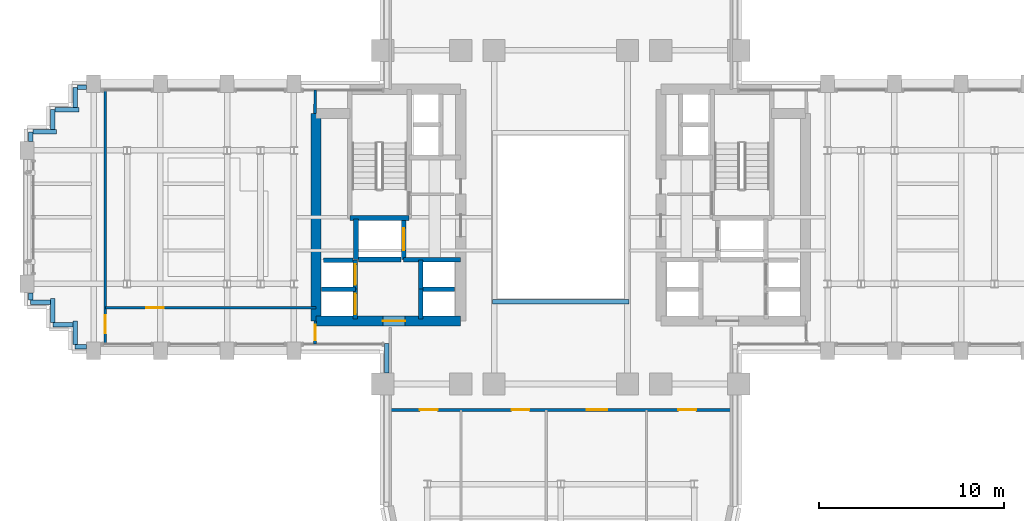
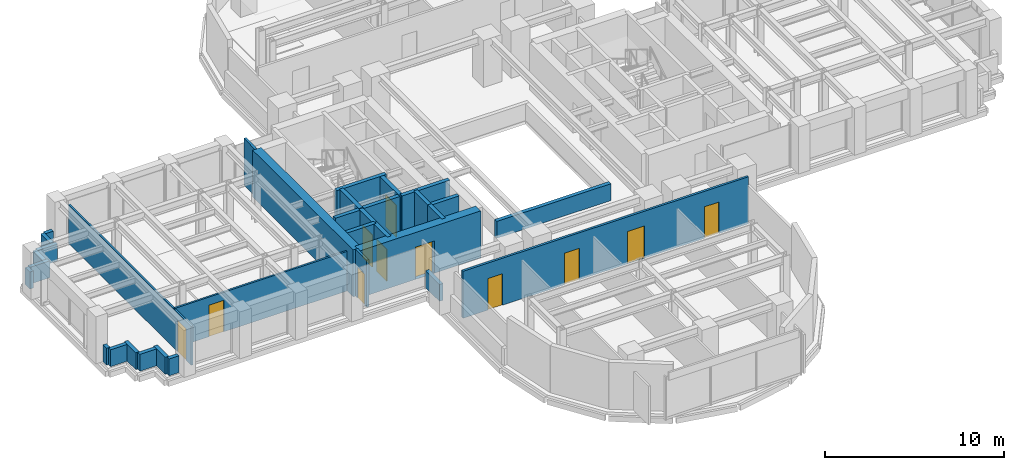
# One storey, part 10 of 16: 33 walls, 11 doors, 11 openings.
"""IFC4 building model written with IfcOpenShell, lengths in metres."""

from ifc_helpers import new_model, si_unit, direction, frame, frame_2d, origin, place, context, subcontext, project, spatial, rectangle, extrude, source, transform, mapped, material, layer, layer_set, type_object, element, fill, save


model = new_model("IFC4")

# Units and contexts
model_context = context("Model", 3, precision=1e-05, world=origin(), true_north=direction((0.0, 1.0)))
body_context = subcontext(model_context, "Body", "Model", "MODEL_VIEW")
ifc_project = project(units=[si_unit("LENGTHUNIT", "METRE"), si_unit("AREAUNIT", "SQUARE_METRE"), si_unit("VOLUMEUNIT", "CUBIC_METRE"), si_unit("PLANEANGLEUNIT", "RADIAN"), si_unit("MASSUNIT", "GRAM", prefix="KILO")], contexts=[model_context])

# Site, building, storey
site_placement = place(None, origin())
site = spatial("IfcSite", under=ifc_project, at=site_placement, CompositionType="ELEMENT")
building_placement = place(site_placement, origin())
building = spatial("IfcBuilding", under=site, at=building_placement, Name="Keilestroom Media Tower", CompositionType="ELEMENT")
storey_placement = place(building_placement, frame((0.0, 0.0, 71.39990234375)))
storey = spatial("IfcBuildingStorey", under=building, at=storey_placement, Name="L18", CompositionType="ELEMENT", Elevation=71.39990234375)

# Wall, opening, door
ifc_material_1 = material(Name="Gypsum Plasterboard & Steel Stud", Category="steel")
ifc_layer_1 = layer(ifc_material_1, 0.1201171875)
ifc_layer_set_1 = layer_set([ifc_layer_1], Name="Gypsum Plasterboard & Steel Stud")
wall_type_1 = type_object("IfcWallType", Name="Interior-Partition-Wall-120", PredefinedType="PARTITIONING", material=ifc_layer_set_1)
wall_1_placement = place(storey_placement, frame((-24.570068359375, -4.8798828125, 0.0), z_axis=(0.0, 0.0, 1.0), x_axis=(1.0, 0.0, 0.0)))
wall_1 = element("IfcWall", 1, at=wall_1_placement, inside=storey, type_object=wall_type_1, Name="L18 Interior Wall WP-L18-WA-CN", PredefinedType="PARTITIONING", context=body_context, shape_type="SweptSolid", body=[
    extrude(rectangle(XDim=11.3701171875, YDim=0.1201171875, at=frame_2d((5.68505859375, 0.0))), origin(), (0.0, 0.0, 1.0), 2.7001953125),
])
opening_1_placement = place(wall_1_placement, frame((2.199951171875, 0.0, 0.0)))
opening_1 = element("IfcOpeningElement", 2, at=opening_1_placement, cuts=wall_1, Name="Opening DI-03", PredefinedType="OPENING", context=body_context, shape_type="SweptSolid", body=[
    extrude(rectangle(XDim=0.949951171875, YDim=2.14990234375, at=frame_2d((0.47509765625, 1.074951171875))), frame((0.0, 0.070068359375, 0.0), z_axis=(0.0, -1.0, 0.0), x_axis=(1.0, 0.0, 0.0)), (0.0, 0.0, 1.0), 0.14013671875),
])
ifc_material_2 = material(Name="Lacquered European Oak Leaf", Category="wood")
door_type_1 = type_object("IfcDoorType", Name="Interior-Room-And-Suite-Door-DI-03", OperationType="NOTDEFINED", PredefinedType="DOOR", material=ifc_material_2)
shared_shape_1 = source(origin(), body_context, "Body", "SweptSolid", [
    extrude(rectangle(XDim=0.949951171875, YDim=2.14990234375, at=frame_2d((0.47509765625, 1.074951171875))), frame((0.0, 0.02490234375, 0.0), z_axis=(0.0, -1.0, 0.0), x_axis=(1.0, 0.0, 0.0)), (0.0, 0.0, 1.0), 0.050048828125),
])
door_1_placement = place(opening_1_placement, origin())
door_1 = element("IfcDoor", 3, at=door_1_placement, inside=storey, type_object=door_type_1, Name="L18 Interior Door DI-L18-DWA-RN", OperationType="SINGLE_SWING_RIGHT", OverallHeight=2.14990234375, OverallWidth=0.949951171875, PredefinedType="DOOR", context=body_context, shape_type="MappedRepresentation", body=[
    mapped(shared_shape_1, transform((0.0, 0.0, 0.0), x_axis=(1.0, 0.0, 0.0), y_axis=(0.0, 1.0, 0.0), z_axis=(0.0, 0.0, 1.0), scale=1.0)),
])
fill(opening_1, door_1)

wall_2_placement = place(storey_placement, frame((-24.570068359375, -6.85009765625, 0.0), z_axis=(0.0, 0.0, 1.0), x_axis=(0.0, 1.0, 0.0)))
wall_2 = element("IfcWall", 4, at=wall_2_placement, inside=storey, type_object=wall_type_1, Name="L18 Interior Wall WP-L18-WA-CE", PredefinedType="PARTITIONING", context=body_context, shape_type="SweptSolid", body=[
    extrude(rectangle(XDim=13.7001953125, YDim=0.1201171875, at=frame_2d((6.85009765625, 0.0))), origin(), (0.0, 0.0, 1.0), 2.650146484375),
])
opening_2_placement = place(wall_2_placement, frame((0.60009765625, 0.0, 0.0)))
opening_2 = element("IfcOpeningElement", 5, at=opening_2_placement, cuts=wall_2, Name="Opening DI-03", PredefinedType="OPENING", context=body_context, shape_type="SweptSolid", body=[
    extrude(rectangle(XDim=0.949951171875, YDim=2.14990234375, at=frame_2d((0.47509765625, 1.074951171875))), frame((0.0, 0.070068359375, 0.0), z_axis=(0.0, -1.0, 0.0), x_axis=(1.0, 0.0, 0.0)), (0.0, 0.0, 1.0), 0.14013671875),
])
door_2_placement = place(opening_2_placement, origin())
door_2 = element("IfcDoor", 6, at=door_2_placement, inside=storey, type_object=door_type_1, Name="L18 Interior Door DI-L18-DWA-END", OperationType="SINGLE_SWING_LEFT", OverallHeight=2.14990234375, OverallWidth=0.949951171875, PredefinedType="DOOR", context=body_context, shape_type="MappedRepresentation", body=[
    mapped(shared_shape_1, transform((0.0, 0.0, 0.0), x_axis=(1.0, 0.0, 0.0), y_axis=(0.0, 1.0, 0.0), z_axis=(0.0, 0.0, 1.0), scale=1.0)),
])
fill(opening_2, door_2)

# Wall, openings, doors
ifc_layer_2 = layer(ifc_material_1, 0.14990234375)
ifc_layer_set_2 = layer_set([ifc_layer_2], Name="Gypsum Plasterboard & Steel Stud")
wall_type_2 = type_object("IfcWallType", Name="Interior-Partition-Wall-150", PredefinedType="PARTITIONING", material=ifc_layer_set_2)
wall_3_placement = place(storey_placement, frame((-9.199951171875, -10.39990234375, 0.0), z_axis=(0.0, 0.0, 1.0), x_axis=(1.0, 0.0, 0.0)))
wall_3 = element("IfcWall", 7, at=wall_3_placement, inside=storey, type_object=wall_type_2, Name="L18 Interior Wall WP-L18-SL-BASE", PredefinedType="PARTITIONING", context=body_context, shape_type="SweptSolid", body=[
    extrude(rectangle(XDim=18.39990234375, YDim=0.14990234375, at=frame_2d((9.199951171875, 0.0))), origin(), (0.0, 0.0, 1.0), 3.2001953125),
])
opening_3_placement = place(wall_3_placement, frame((1.60009765625, 0.0, 0.0)))
opening_3 = element("IfcOpeningElement", 8, at=opening_3_placement, cuts=wall_3, Name="Opening DI-03", PredefinedType="OPENING", context=body_context, shape_type="SweptSolid", body=[
    extrude(rectangle(XDim=0.949951171875, YDim=2.14990234375, at=frame_2d((0.47509765625, 1.074951171875))), frame((0.0, 0.0849609375, 0.0), z_axis=(0.0, -1.0, 0.0), x_axis=(1.0, 0.0, 0.0)), (0.0, 0.0, 1.0), 0.169921875),
])
opening_4_placement = place(wall_3_placement, frame((6.550048828125, 0.0, 0.0)))
opening_4 = element("IfcOpeningElement", 9, at=opening_4_placement, cuts=wall_3, Name="Opening DI-03", PredefinedType="OPENING", context=body_context, shape_type="SweptSolid", body=[
    extrude(rectangle(XDim=0.949951171875, YDim=2.14990234375, at=frame_2d((0.47509765625, 1.074951171875))), frame((0.0, 0.0849609375, 0.0), z_axis=(0.0, -1.0, 0.0), x_axis=(1.0, 0.0, 0.0)), (0.0, 0.0, 1.0), 0.169921875),
])
opening_5_placement = place(wall_3_placement, frame((10.60009765625, 0.0, 0.0)))
opening_5 = element("IfcOpeningElement", 10, at=opening_5_placement, cuts=wall_3, Name="Opening DI-04", PredefinedType="OPENING", context=body_context, shape_type="SweptSolid", body=[
    extrude(rectangle(XDim=1.10009765625, YDim=2.199951171875, at=frame_2d((0.550048828125, 1.10009765625))), frame((0.0, 0.0849609375, 0.0), z_axis=(0.0, -1.0, 0.0), x_axis=(1.0, 0.0, 0.0)), (0.0, 0.0, 1.0), 0.169921875),
])
opening_6_placement = place(wall_3_placement, frame((15.550048828125, 0.0, 0.0)))
opening_6 = element("IfcOpeningElement", 11, at=opening_6_placement, cuts=wall_3, Name="Opening DI-03", PredefinedType="OPENING", context=body_context, shape_type="SweptSolid", body=[
    extrude(rectangle(XDim=0.949951171875, YDim=2.14990234375, at=frame_2d((0.47509765625, 1.074951171875))), frame((0.0, 0.0849609375, 0.0), z_axis=(0.0, -1.0, 0.0), x_axis=(1.0, 0.0, 0.0)), (0.0, 0.0, 1.0), 0.169921875),
])
door_3_placement = place(opening_3_placement, origin())
door_3 = element("IfcDoor", 12, at=door_3_placement, inside=storey, type_object=door_type_1, Name="L18 Interior Door DI-L18-DSL-Q1", OperationType="SINGLE_SWING_RIGHT", OverallHeight=2.14990234375, OverallWidth=0.949951171875, PredefinedType="DOOR", context=body_context, shape_type="MappedRepresentation", body=[
    mapped(shared_shape_1, transform((0.0, 0.0, 0.0), x_axis=(1.0, 0.0, 0.0), y_axis=(0.0, 1.0, 0.0), z_axis=(0.0, 0.0, 1.0), scale=1.0)),
])
fill(opening_3, door_3)
door_4_placement = place(opening_4_placement, origin())
door_4 = element("IfcDoor", 13, at=door_4_placement, inside=storey, type_object=door_type_1, Name="L18 Interior Door DI-L18-DSL-Q2", OperationType="SINGLE_SWING_LEFT", OverallHeight=2.14990234375, OverallWidth=0.949951171875, PredefinedType="DOOR", context=body_context, shape_type="MappedRepresentation", body=[
    mapped(shared_shape_1, transform((0.0, 0.0, 0.0), x_axis=(1.0, 0.0, 0.0), y_axis=(0.0, 1.0, 0.0), z_axis=(0.0, 0.0, 1.0), scale=1.0)),
])
fill(opening_4, door_4)
door_5_placement = place(opening_6_placement, origin())
door_5 = element("IfcDoor", 14, at=door_5_placement, inside=storey, type_object=door_type_1, Name="L18 Interior Door DI-L18-DSL-Q4", OperationType="SINGLE_SWING_LEFT", OverallHeight=2.14990234375, OverallWidth=0.949951171875, PredefinedType="DOOR", context=body_context, shape_type="MappedRepresentation", body=[
    mapped(shared_shape_1, transform((0.0, 0.0, 0.0), x_axis=(1.0, 0.0, 0.0), y_axis=(0.0, 1.0, 0.0), z_axis=(0.0, 0.0, 1.0), scale=1.0)),
])
fill(opening_6, door_5)
ifc_material_3 = material(Name="Acoustic Glazed Aluminium Leaf", Category="aluminium")
door_type_2 = type_object("IfcDoorType", Name="Interior-Room-And-Suite-Door-DI-04", OperationType="NOTDEFINED", PredefinedType="DOOR", material=ifc_material_3)
shared_shape_2 = source(origin(), body_context, "Body", "SweptSolid", [
    extrude(rectangle(XDim=1.10009765625, YDim=2.199951171875, at=frame_2d((0.550048828125, 1.10009765625))), frame((0.0, 0.02490234375, 0.0), z_axis=(0.0, -1.0, 0.0), x_axis=(1.0, 0.0, 0.0)), (0.0, 0.0, 1.0), 0.050048828125),
])
door_6_placement = place(opening_5_placement, origin())
door_6 = element("IfcDoor", 15, at=door_6_placement, inside=storey, type_object=door_type_2, Name="L18 Interior Door DI-L18-DSL-Q3", OperationType="SINGLE_SWING_RIGHT", OverallHeight=2.199951171875, OverallWidth=1.10009765625, PredefinedType="DOOR", context=body_context, shape_type="MappedRepresentation", body=[
    mapped(shared_shape_2, transform((0.0, 0.0, 0.0), x_axis=(1.0, 0.0, 0.0), y_axis=(0.0, 1.0, 0.0), z_axis=(0.0, 0.0, 1.0), scale=1.0)),
])
fill(opening_5, door_6)

# Wall
wall_4_placement = place(storey_placement, frame((-13.260009765625, 5.60009765625, 0.0), z_axis=(0.0, 0.0, 1.0), x_axis=(0.016013571389, 0.999871774545, 0.0)))
element("IfcWall", 16, at=wall_4_placement, inside=storey, type_object=wall_type_2, Name="L18 Interior Wall WP-L18-WA-ENTN", PredefinedType="PARTITIONING", context=body_context, shape_type="SweptSolid", body=[
    extrude(rectangle(XDim=1.250244140625, YDim=0.14990234375, at=frame_2d((0.625, 0.0))), origin(), (0.0, 0.0, 1.0), 3.2001953125),
])

# Wall, opening, door
wall_5_placement = place(storey_placement, frame((-13.260009765625, -6.85009765625, 0.0), z_axis=(0.0, 0.0, 1.0), x_axis=(0.016013571389, 0.999871774545, 0.0)))
wall_5 = element("IfcWall", 17, at=wall_5_placement, inside=storey, type_object=wall_type_2, Name="L18 Interior Wall WP-L18-WA-ENTS", PredefinedType="PARTITIONING", context=body_context, shape_type="SweptSolid", body=[
    extrude(rectangle(XDim=1.250244140625, YDim=0.14990234375, at=frame_2d((0.625, 0.0))), origin(), (0.0, 0.0, 1.0), 3.2001953125),
])
opening_7_placement = place(wall_5_placement, frame((0.199951171875, 0.0, 0.0)))
opening_7 = element("IfcOpeningElement", 18, at=opening_7_placement, cuts=wall_5, Name="Opening DI-05", PredefinedType="OPENING", context=body_context, shape_type="SweptSolid", body=[
    extrude(rectangle(XDim=0.85009765625, YDim=2.10009765625, at=frame_2d((0.425048828125, 1.050048828125))), frame((0.0, 0.0849609375, 0.0), z_axis=(0.0, -1.0, 0.0), x_axis=(1.0, 0.0, 0.0)), (0.0, 0.0, 1.0), 0.169921875),
])
ifc_material_4 = material(Name="Moisture-Resistant Oak Leaf", Category="wood")
door_type_3 = type_object("IfcDoorType", Name="Interior-En-Suite-And-Cupboard-Door-DI-05", OperationType="NOTDEFINED", PredefinedType="DOOR", material=ifc_material_4)
shared_shape_3 = source(origin(), body_context, "Body", "SweptSolid", [
    extrude(rectangle(XDim=0.85009765625, YDim=2.10009765625, at=frame_2d((0.425048828125, 1.050048828125))), frame((0.0, 0.02490234375, 0.0), z_axis=(0.0, -1.0, 0.0), x_axis=(1.0, 0.0, 0.0)), (0.0, 0.0, 1.0), 0.050048828125),
])
door_7_placement = place(opening_7_placement, origin())
door_7 = element("IfcDoor", 19, at=door_7_placement, inside=storey, type_object=door_type_3, Name="L18 Interior Door DI-L18-DWA-ENTS", OperationType="SINGLE_SWING_RIGHT", OverallHeight=2.10009765625, OverallWidth=0.85009765625, PredefinedType="DOOR", context=body_context, shape_type="MappedRepresentation", body=[
    mapped(shared_shape_3, transform((0.0, 0.0, 0.0), x_axis=(1.0, 0.0, 0.0), y_axis=(0.0, 1.0, 0.0), z_axis=(0.0, 0.0, 1.0), scale=1.0)),
])
fill(opening_7, door_7)

# Wall
ifc_material_5 = material(Name="Concrete C70/85", Category="concrete")
ifc_layer_3 = layer(ifc_material_5, 0.550048828125)
ifc_layer_set_3 = layer_set([ifc_layer_3], Name="Concrete C70/85")
wall_type_3 = type_object("IfcWallType", Name="Reinforced-Concrete-Core-Shear-Wall-550", PredefinedType="SHEAR", material=ifc_layer_set_3)
wall_6_placement = place(storey_placement, frame((-13.199951171875, -5.60009765625, 0.0), z_axis=(0.0, 0.0, 1.0), x_axis=(0.0, 1.0, 0.0)))
element("IfcWall", 20, at=wall_6_placement, inside=storey, type_object=wall_type_3, Name="L18 Core Shear Wall WL-L18-CORE-W-OUT", PredefinedType="SHEAR", context=body_context, shape_type="SweptSolid", body=[
    extrude(rectangle(XDim=11.2001953125, YDim=0.550048828125, at=frame_2d((5.60009765625, 0.0))), origin(), (0.0, 0.0, 1.0), 3.2001953125),
])

# Wall, opening, door
wall_7_placement = place(storey_placement, frame((-13.199951171875, -5.60009765625, 0.0), z_axis=(0.0, 0.0, 1.0), x_axis=(1.0, 0.0, 0.0)))
wall_7 = element("IfcWall", 21, at=wall_7_placement, inside=storey, type_object=wall_type_3, Name="L18 Core Shear Wall WL-L18-CORE-W-S", PredefinedType="SHEAR", context=body_context, shape_type="SweptSolid", body=[
    extrude(rectangle(XDim=7.800048828125, YDim=0.550048828125, at=frame_2d((3.89990234375, 0.0))), origin(), (0.0, 0.0, 1.0), 3.2001953125),
])
opening_8_placement = place(wall_7_placement, frame((3.60009765625, 0.0, 0.0)))
opening_8 = element("IfcOpeningElement", 22, at=opening_8_placement, cuts=wall_7, Name="Opening DI-02", PredefinedType="OPENING", context=body_context, shape_type="SweptSolid", body=[
    extrude(rectangle(XDim=1.199951171875, YDim=2.199951171875, at=frame_2d((0.60009765625, 1.10009765625))), frame((0.0, 0.28515625, 0.0), z_axis=(0.0, -1.0, 0.0), x_axis=(1.0, 0.0, 0.0)), (0.0, 0.0, 1.0), 0.570068359375),
])
ifc_material_6 = material(Name="Powder-Coated Steel Fire Leaf", Category="steel")
door_type_4 = type_object("IfcDoorType", Name="Interior-Compartment-Fire-Door-DI-02", OperationType="NOTDEFINED", PredefinedType="DOOR", material=ifc_material_6)
shared_shape_4 = source(origin(), body_context, "Body", "SweptSolid", [
    extrude(rectangle(XDim=1.199951171875, YDim=2.199951171875, at=frame_2d((0.60009765625, 1.10009765625))), frame((0.0, 0.02490234375, 0.0), z_axis=(0.0, -1.0, 0.0), x_axis=(1.0, 0.0, 0.0)), (0.0, 0.0, 1.0), 0.050048828125),
])
door_8_placement = place(opening_8_placement, origin())
door_8 = element("IfcDoor", 23, at=door_8_placement, inside=storey, type_object=door_type_4, Name="L18 W Passenger Lift Lobby Door", OperationType="SINGLE_SWING_LEFT", OverallHeight=2.199951171875, OverallWidth=1.199951171875, PredefinedType="DOOR", context=body_context, shape_type="MappedRepresentation", body=[
    mapped(shared_shape_4, transform((0.0, 0.0, 0.0), x_axis=(1.0, 0.0, 0.0), y_axis=(0.0, 1.0, 0.0), z_axis=(0.0, 0.0, 1.0), scale=1.0)),
])
fill(opening_8, door_8)

# Walls
ifc_material_7 = material(Name="Concrete C50/60", Category="concrete")
ifc_layer_4 = layer(ifc_material_7, 0.25)
ifc_layer_set_4 = layer_set([ifc_layer_4], Name="Concrete C50/60")
wall_type_4 = type_object("IfcWallType", Name="Reinforced-Concrete-Shaft-Wall-250", PredefinedType="SOLIDWALL", material=ifc_layer_set_4)
wall_8_placement = place(storey_placement, frame((-8.47998046875, -2.300048828125, 0.0), z_axis=(0.0, 0.0, 1.0), x_axis=(1.0, 0.0, 0.0)))
element("IfcWall", 24, at=wall_8_placement, inside=storey, type_object=wall_type_4, Name="L18 Core Shear Wall WL-L18-CORE-W-FFS", PredefinedType="SOLIDWALL", context=body_context, shape_type="SweptSolid", body=[
    extrude(rectangle(XDim=3.080078125, YDim=0.25, at=frame_2d((1.5400390625, 0.0))), origin(), (0.0, 0.0, 1.0), 3.2001953125),
])
wall_9_placement = place(storey_placement, frame((-11.381103515625, -0.041015625, 0.0), z_axis=(0.0, 0.0, 1.0), x_axis=(1.0, 0.0, 0.0)))
element("IfcWall", 25, at=wall_9_placement, inside=storey, type_object=wall_type_4, Name="L18 Core Shear Wall WL-L18-STW-W-S", PredefinedType="SOLIDWALL", context=body_context, shape_type="SweptSolid", body=[
    extrude(rectangle(XDim=3.2021484375, YDim=0.25, at=frame_2d((1.60107421875, 0.0))), origin(), (0.0, 0.0, 1.0), 3.2001953125),
])
wall_10_placement = place(storey_placement, frame((-11.050048828125, -2.280029296875, 0.0), z_axis=(0.0, 0.0, 1.0), x_axis=(0.0, 1.0, 0.0)))
element("IfcWall", 26, at=wall_10_placement, inside=storey, type_object=wall_type_4, Name="L18 Core Shear Wall WL-L18-LSH-FFL-1-W", PredefinedType="SOLIDWALL", context=body_context, shape_type="SweptSolid", body=[
    extrude(rectangle(XDim=2.179931640625, YDim=0.25, at=frame_2d((1.08984375, 0.0))), origin(), (0.0, 0.0, 1.0), 3.2001953125),
])

# Wall, opening, door
wall_11_placement = place(storey_placement, frame((-8.47998046875, -2.280029296875, 0.0), z_axis=(0.0, 0.0, 1.0), x_axis=(0.0, 1.0, 0.0)))
wall_11 = element("IfcWall", 27, at=wall_11_placement, inside=storey, type_object=wall_type_4, Name="L18 Core Shear Wall WL-L18-LSH-FFL-1-E", PredefinedType="SOLIDWALL", context=body_context, shape_type="SweptSolid", body=[
    extrude(rectangle(XDim=2.179931640625, YDim=0.25, at=frame_2d((1.08984375, 0.0))), origin(), (0.0, 0.0, 1.0), 3.2001953125),
])
opening_9_placement = place(wall_11_placement, frame((0.489990234375, 0.0, 0.0)))
opening_9 = element("IfcOpeningElement", 28, at=opening_9_placement, cuts=wall_11, Name="Opening LD-02", PredefinedType="OPENING", context=body_context, shape_type="SweptSolid", body=[
    extrude(rectangle(XDim=1.199951171875, YDim=2.199951171875, at=frame_2d((0.60009765625, 1.10009765625))), frame((0.0, 0.135009765625, 0.0), z_axis=(0.0, -1.0, 0.0), x_axis=(1.0, 0.0, 0.0)), (0.0, 0.0, 1.0), 0.27001953125),
])
ifc_material_8 = material(Name="Brushed Stainless Steel Sliding Leaf", Category="steel")
door_type_5 = type_object("IfcDoorType", Name="Lift-Landing-Sliding-Door-LD-02", OperationType="SLIDING_TO_RIGHT", PredefinedType="DOOR", material=ifc_material_8)
door_9_placement = place(opening_9_placement, origin())
door_9 = element("IfcDoor", 29, at=door_9_placement, inside=storey, type_object=door_type_5, Name="L18 Lift FFL-1 Landing Sliding Door", OperationType="SLIDING_TO_RIGHT", OverallHeight=2.199951171875, OverallWidth=1.199951171875, PredefinedType="DOOR", context=body_context, shape_type="MappedRepresentation", body=[
    mapped(shared_shape_4, transform((0.0, 0.0, 0.0), x_axis=(1.0, 0.0, 0.0), y_axis=(0.0, 1.0, 0.0), z_axis=(0.0, 0.0, 1.0), scale=1.0)),
])
fill(opening_9, door_9)

# Wall
wall_12_placement = place(storey_placement, frame((-10.9208984375, -2.280029296875, 0.0), z_axis=(0.0, 0.0, 1.0), x_axis=(1.0, 0.0, 0.0)))
element("IfcWall", 30, at=wall_12_placement, inside=storey, type_object=wall_type_4, Name="L18 Core Shear Wall WL-L18-LSH-FFL-1-S", PredefinedType="SOLIDWALL", context=body_context, shape_type="SweptSolid", body=[
    extrude(rectangle(XDim=2.31201171875, YDim=0.25, at=frame_2d((1.156005859375, 0.0))), origin(), (0.0, 0.0, 1.0), 3.2001953125),
])

# Wall, opening, door
wall_13_placement = place(storey_placement, frame((-11.080078125, -5.47998046875, 0.0), z_axis=(0.0, 0.0, 1.0), x_axis=(0.0, 1.0, 0.0)))
wall_13 = element("IfcWall", 31, at=wall_13_placement, inside=storey, type_object=wall_type_4, Name="L18 Core Shear Wall WL-L18-LSH-PL-L1-E", PredefinedType="SOLIDWALL", context=body_context, shape_type="SweptSolid", body=[
    extrude(rectangle(XDim=1.60009765625, YDim=0.25, at=frame_2d((0.800048828125, 0.0))), origin(), (0.0, 0.0, 1.0), 3.2001953125),
])
opening_10_placement = place(wall_13_placement, frame((0.25, 0.0, 0.0)))
opening_10 = element("IfcOpeningElement", 32, at=opening_10_placement, cuts=wall_13, Name="Opening LD-01", PredefinedType="OPENING", context=body_context, shape_type="SweptSolid", body=[
    extrude(rectangle(XDim=1.10009765625, YDim=2.199951171875, at=frame_2d((0.550048828125, 1.10009765625))), frame((0.0, 0.135009765625, 0.0), z_axis=(0.0, -1.0, 0.0), x_axis=(1.0, 0.0, 0.0)), (0.0, 0.0, 1.0), 0.27001953125),
])
door_type_6 = type_object("IfcDoorType", Name="Lift-Landing-Sliding-Door-LD-01", OperationType="SLIDING_TO_LEFT", PredefinedType="DOOR", material=ifc_material_8)
door_10_placement = place(opening_10_placement, origin())
door_10 = element("IfcDoor", 33, at=door_10_placement, inside=storey, type_object=door_type_6, Name="L18 Lift PL-L1 Landing Sliding Door", OperationType="SLIDING_TO_LEFT", OverallHeight=2.199951171875, OverallWidth=1.10009765625, PredefinedType="DOOR", context=body_context, shape_type="MappedRepresentation", body=[
    mapped(shared_shape_2, transform((0.0, 0.0, 0.0), x_axis=(1.0, 0.0, 0.0), y_axis=(0.0, 1.0, 0.0), z_axis=(0.0, 0.0, 1.0), scale=1.0)),
])
fill(opening_10, door_10)

# Wall
wall_14_placement = place(storey_placement, frame((-12.919921875, -3.8798828125, 0.0), z_axis=(0.0, 0.0, 1.0), x_axis=(1.0, 0.0, 0.0)))
element("IfcWall", 34, at=wall_14_placement, inside=storey, type_object=wall_type_4, Name="L18 Core Shear Wall WL-L18-LSH-PL-L1-N", PredefinedType="SOLIDWALL", context=body_context, shape_type="SweptSolid", body=[
    extrude(rectangle(XDim=1.83984375, YDim=0.25, at=frame_2d((0.919921875, 0.0))), origin(), (0.0, 0.0, 1.0), 3.2001953125),
])

# Wall, opening, door
wall_15_placement = place(storey_placement, frame((-11.080078125, -3.8798828125, 0.0), z_axis=(0.0, 0.0, 1.0), x_axis=(0.0, 1.0, 0.0)))
wall_15 = element("IfcWall", 35, at=wall_15_placement, inside=storey, type_object=wall_type_4, Name="L18 Core Shear Wall WL-L18-LSH-PL-L2-E", PredefinedType="SOLIDWALL", context=body_context, shape_type="SweptSolid", body=[
    extrude(rectangle(XDim=1.559814453125, YDim=0.25, at=frame_2d((0.77978515625, 0.0))), origin(), (0.0, 0.0, 1.0), 3.2001953125),
])
opening_11_placement = place(wall_15_placement, frame((0.22998046875, 0.0, 0.0)))
opening_11 = element("IfcOpeningElement", 36, at=opening_11_placement, cuts=wall_15, Name="Opening LD-01", PredefinedType="OPENING", context=body_context, shape_type="SweptSolid", body=[
    extrude(rectangle(XDim=1.10009765625, YDim=2.199951171875, at=frame_2d((0.550048828125, 1.10009765625))), frame((0.0, 0.135009765625, 0.0), z_axis=(0.0, -1.0, 0.0), x_axis=(1.0, 0.0, 0.0)), (0.0, 0.0, 1.0), 0.27001953125),
])
door_11_placement = place(opening_11_placement, origin())
door_11 = element("IfcDoor", 37, at=door_11_placement, inside=storey, type_object=door_type_6, Name="L18 Lift PL-L2 Landing Sliding Door", OperationType="SLIDING_TO_LEFT", OverallHeight=2.199951171875, OverallWidth=1.10009765625, PredefinedType="DOOR", context=body_context, shape_type="MappedRepresentation", body=[
    mapped(shared_shape_2, transform((0.0, 0.0, 0.0), x_axis=(1.0, 0.0, 0.0), y_axis=(0.0, 1.0, 0.0), z_axis=(0.0, 0.0, 1.0), scale=1.0)),
])
fill(opening_11, door_11)

# Walls
wall_16_placement = place(storey_placement, frame((-12.791015625, -2.320068359375, 0.0), z_axis=(0.0, 0.0, 1.0), x_axis=(1.0, 0.0, 0.0)))
element("IfcWall", 38, at=wall_16_placement, inside=storey, type_object=wall_type_4, Name="L18 Core Shear Wall WL-L18-LSH-PL-L2-N", PredefinedType="SOLIDWALL", context=body_context, shape_type="SweptSolid", body=[
    extrude(rectangle(XDim=1.58203125, YDim=0.25, at=frame_2d((0.791015625, 0.0))), origin(), (0.0, 0.0, 1.0), 3.2001953125),
])
wall_17_placement = place(storey_placement, frame((-7.56005859375, -5.47998046875, 0.0), z_axis=(0.0, 0.0, 1.0), x_axis=(0.0, 1.0, 0.0)))
element("IfcWall", 39, at=wall_17_placement, inside=storey, type_object=wall_type_4, Name="L18 Core Shear Wall WL-L18-LSH-PL-M1-W", PredefinedType="SOLIDWALL", context=body_context, shape_type="SweptSolid", body=[
    extrude(rectangle(XDim=1.60009765625, YDim=0.25, at=frame_2d((0.800048828125, 0.0))), origin(), (0.0, 0.0, 1.0), 3.2001953125),
])
wall_18_placement = place(storey_placement, frame((-7.56005859375, -3.8798828125, 0.0), z_axis=(0.0, 0.0, 1.0), x_axis=(1.0, 0.0, 0.0)))
element("IfcWall", 40, at=wall_18_placement, inside=storey, type_object=wall_type_4, Name="L18 Core Shear Wall WL-L18-LSH-PL-M1-N", PredefinedType="SOLIDWALL", context=body_context, shape_type="SweptSolid", body=[
    extrude(rectangle(XDim=1.840087890625, YDim=0.25, at=frame_2d((0.919921875, 0.0))), origin(), (0.0, 0.0, 1.0), 3.2001953125),
])
wall_19_placement = place(storey_placement, frame((-7.56005859375, -3.8798828125, 0.0), z_axis=(0.0, 0.0, 1.0), x_axis=(0.0, 1.0, 0.0)))
element("IfcWall", 41, at=wall_19_placement, inside=storey, type_object=wall_type_4, Name="L18 Core Shear Wall WL-L18-LSH-PL-M2-W", PredefinedType="SOLIDWALL", context=body_context, shape_type="SweptSolid", body=[
    extrude(rectangle(XDim=1.559814453125, YDim=0.25, at=frame_2d((0.77978515625, 0.0))), origin(), (0.0, 0.0, 1.0), 3.2001953125),
])
ifc_material_9 = material(Name="Precast concrete C40/50", Category="concrete")
ifc_layer_5 = layer(ifc_material_9, 0.239990234375)
ifc_layer_set_5 = layer_set([ifc_layer_5], Name="Precast concrete C40/50")
wall_type_5 = type_object("IfcWallType", Name="Roof-And-Terrace-Parapet-Wall-240", PredefinedType="PARAPET", material=ifc_layer_set_5)
wall_20_placement = place(storey_placement, frame((-9.39990234375, -8.39697265625, 0.0), z_axis=(0.0, 0.0, 1.0), x_axis=(0.0, 1.0, 0.0)))
element("IfcWall", 42, at=wall_20_placement, inside=storey, type_object=wall_type_5, Name="L18 Perimeter Edge Parapet Wall 11", PredefinedType="PARAPET", context=body_context, shape_type="SweptSolid", body=[
    extrude(rectangle(XDim=1.578125, YDim=0.239990234375, at=frame_2d((0.7890625, 0.0))), origin(), (0.0, 0.0, 1.0), 1.150146484375),
])
wall_21_placement = place(storey_placement, frame((-25.577880859375, -7.0, 0.0), z_axis=(0.0, 0.0, 1.0), x_axis=(-1.0, 0.0, 0.0)))
element("IfcWall", 43, at=wall_21_placement, inside=storey, type_object=wall_type_5, Name="L18 Perimeter Edge Parapet Wall 12", PredefinedType="PARAPET", context=body_context, shape_type="SweptSolid", body=[
    extrude(rectangle(XDim=0.6220703125, YDim=0.239990234375, at=frame_2d((0.31103515625, 0.0))), origin(), (0.0, 0.0, 1.0), 1.150146484375),
])
wall_22_placement = place(storey_placement, frame((-26.199951171875, -6.876953125, 0.0), z_axis=(0.0, 0.0, 1.0), x_axis=(0.0, 1.0, 0.0)))
element("IfcWall", 44, at=wall_22_placement, inside=storey, type_object=wall_type_5, Name="L18 Perimeter Edge Parapet Wall 13", PredefinedType="PARAPET", context=body_context, shape_type="SweptSolid", body=[
    extrude(rectangle(XDim=1.27685546875, YDim=0.239990234375, at=frame_2d((0.638427734375, 0.0))), origin(), (0.0, 0.0, 1.0), 1.150146484375),
])
wall_23_placement = place(storey_placement, frame((-26.322998046875, -5.800048828125, 0.0), z_axis=(0.0, 0.0, 1.0), x_axis=(-1.0, 0.0, 0.0)))
element("IfcWall", 45, at=wall_23_placement, inside=storey, type_object=wall_type_5, Name="L18 Perimeter Edge Parapet Wall 14", PredefinedType="PARAPET", context=body_context, shape_type="SweptSolid", body=[
    extrude(rectangle(XDim=1.076904296875, YDim=0.239990234375, at=frame_2d((0.53857421875, 0.0))), origin(), (0.0, 0.0, 1.0), 1.150146484375),
])
wall_24_placement = place(storey_placement, frame((-27.39990234375, -5.677001953125, 0.0), z_axis=(0.0, 0.0, 1.0), x_axis=(0.0, 1.0, 0.0)))
element("IfcWall", 46, at=wall_24_placement, inside=storey, type_object=wall_type_5, Name="L18 Perimeter Edge Parapet Wall 15", PredefinedType="PARAPET", context=body_context, shape_type="SweptSolid", body=[
    extrude(rectangle(XDim=1.277099609375, YDim=0.239990234375, at=frame_2d((0.638671875, 0.0))), origin(), (0.0, 0.0, 1.0), 1.150146484375),
])
wall_25_placement = place(storey_placement, frame((-27.52294921875, -4.60009765625, 0.0), z_axis=(0.0, 0.0, 1.0), x_axis=(-1.0, 0.0, 0.0)))
element("IfcWall", 47, at=wall_25_placement, inside=storey, type_object=wall_type_5, Name="L18 Perimeter Edge Parapet Wall 16", PredefinedType="PARAPET", context=body_context, shape_type="SweptSolid", body=[
    extrude(rectangle(XDim=1.0771484375, YDim=0.239990234375, at=frame_2d((0.53857421875, 0.0))), origin(), (0.0, 0.0, 1.0), 1.150146484375),
])
wall_26_placement = place(storey_placement, frame((-28.60009765625, -4.47705078125, 0.0), z_axis=(0.0, 0.0, 1.0), x_axis=(0.0, 1.0, 0.0)))
element("IfcWall", 48, at=wall_26_placement, inside=storey, type_object=wall_type_5, Name="L18 Perimeter Edge Parapet Wall 17", PredefinedType="PARAPET", context=body_context, shape_type="SweptSolid", body=[
    extrude(rectangle(XDim=0.399169921875, YDim=0.239990234375, at=frame_2d((0.19970703125, 0.0))), origin(), (0.0, 0.0, 1.0), 1.150146484375),
])
wall_27_placement = place(storey_placement, frame((-28.60009765625, 4.077880859375, 0.0), z_axis=(0.0, 0.0, 1.0), x_axis=(0.0, 1.0, 0.0)))
element("IfcWall", 49, at=wall_27_placement, inside=storey, type_object=wall_type_5, Name="L18 Perimeter Edge Parapet Wall 18", PredefinedType="PARAPET", context=body_context, shape_type="SweptSolid", body=[
    extrude(rectangle(XDim=0.522216796875, YDim=0.239990234375, at=frame_2d((0.26123046875, 0.0))), origin(), (0.0, 0.0, 1.0), 1.150146484375),
])
wall_28_placement = place(storey_placement, frame((-28.47705078125, 4.60009765625, 0.0), z_axis=(0.0, 0.0, 1.0), x_axis=(1.0, 0.0, 0.0)))
element("IfcWall", 50, at=wall_28_placement, inside=storey, type_object=wall_type_5, Name="L18 Perimeter Edge Parapet Wall 19", PredefinedType="PARAPET", context=body_context, shape_type="SweptSolid", body=[
    extrude(rectangle(XDim=1.277099609375, YDim=0.239990234375, at=frame_2d((0.638671875, 0.0))), origin(), (0.0, 0.0, 1.0), 1.150146484375),
])
wall_29_placement = place(storey_placement, frame((-27.39990234375, 4.722900390625, 0.0), z_axis=(0.0, 0.0, 1.0), x_axis=(0.0, 1.0, 0.0)))
element("IfcWall", 51, at=wall_29_placement, inside=storey, type_object=wall_type_5, Name="L18 Perimeter Edge Parapet Wall 20", PredefinedType="PARAPET", context=body_context, shape_type="SweptSolid", body=[
    extrude(rectangle(XDim=1.0771484375, YDim=0.239990234375, at=frame_2d((0.53857421875, 0.0))), origin(), (0.0, 0.0, 1.0), 1.150146484375),
])
wall_30_placement = place(storey_placement, frame((-27.277099609375, 5.800048828125, 0.0), z_axis=(0.0, 0.0, 1.0), x_axis=(1.0, 0.0, 0.0)))
element("IfcWall", 52, at=wall_30_placement, inside=storey, type_object=wall_type_5, Name="L18 Perimeter Edge Parapet Wall 21", PredefinedType="PARAPET", context=body_context, shape_type="SweptSolid", body=[
    extrude(rectangle(XDim=1.277099609375, YDim=0.239990234375, at=frame_2d((0.638671875, 0.0))), origin(), (0.0, 0.0, 1.0), 1.150146484375),
])
wall_31_placement = place(storey_placement, frame((-26.199951171875, 5.923095703125, 0.0), z_axis=(0.0, 0.0, 1.0), x_axis=(0.0, 1.0, 0.0)))
element("IfcWall", 53, at=wall_31_placement, inside=storey, type_object=wall_type_5, Name="L18 Perimeter Edge Parapet Wall 22", PredefinedType="PARAPET", context=body_context, shape_type="SweptSolid", body=[
    extrude(rectangle(XDim=1.076904296875, YDim=0.239990234375, at=frame_2d((0.53857421875, 0.0))), origin(), (0.0, 0.0, 1.0), 1.150146484375),
])
wall_32_placement = place(storey_placement, frame((-26.076904296875, 7.0, 0.0), z_axis=(0.0, 0.0, 1.0), x_axis=(1.0, 0.0, 0.0)))
element("IfcWall", 54, at=wall_32_placement, inside=storey, type_object=wall_type_5, Name="L18 Perimeter Edge Parapet Wall 23", PredefinedType="PARAPET", context=body_context, shape_type="SweptSolid", body=[
    extrude(rectangle(XDim=0.4990234375, YDim=0.239990234375, at=frame_2d((0.24951171875, 0.0))), origin(), (0.0, 0.0, 1.0), 1.150146484375),
])
wall_33_placement = place(storey_placement, frame((-3.679931640625, -4.56005859375, 0.0), z_axis=(0.0, 0.0, 1.0), x_axis=(1.0, 0.0, 0.0)))
element("IfcWall", 55, at=wall_33_placement, inside=storey, type_object=wall_type_5, Name="L18 Central Atrium Guard Parapet S", PredefinedType="PARAPET", context=body_context, shape_type="SweptSolid", body=[
    extrude(rectangle(XDim=7.35986328125, YDim=0.239990234375, at=frame_2d((3.679931640625, 0.0))), origin(), (0.0, 0.0, 1.0), 1.150146484375),
])

save(model, "model.ifc")
